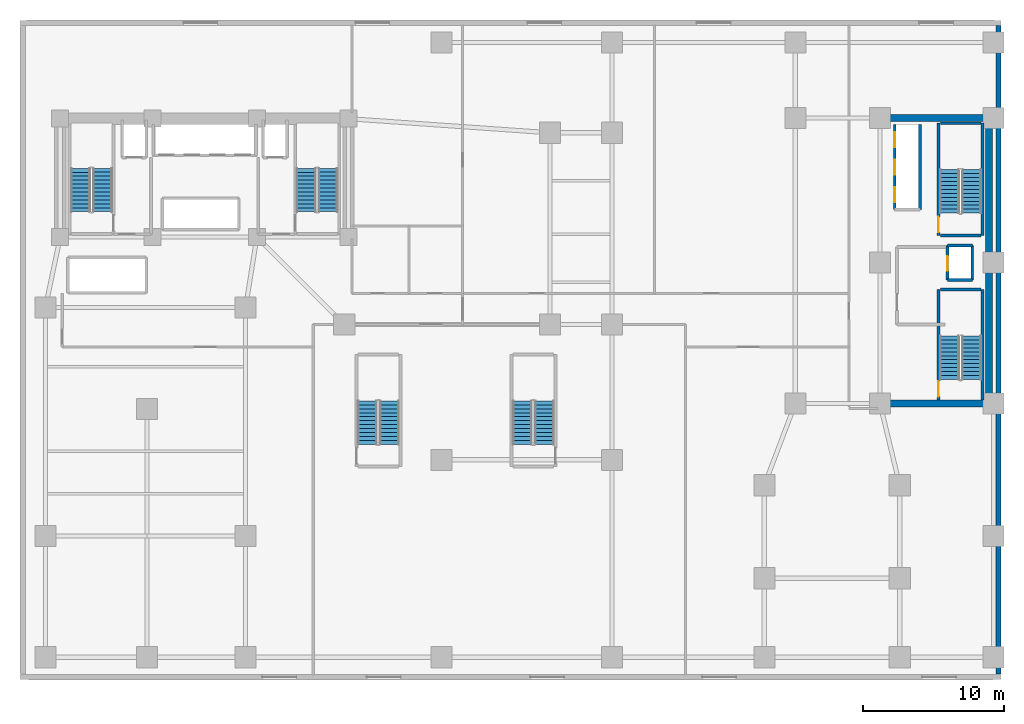
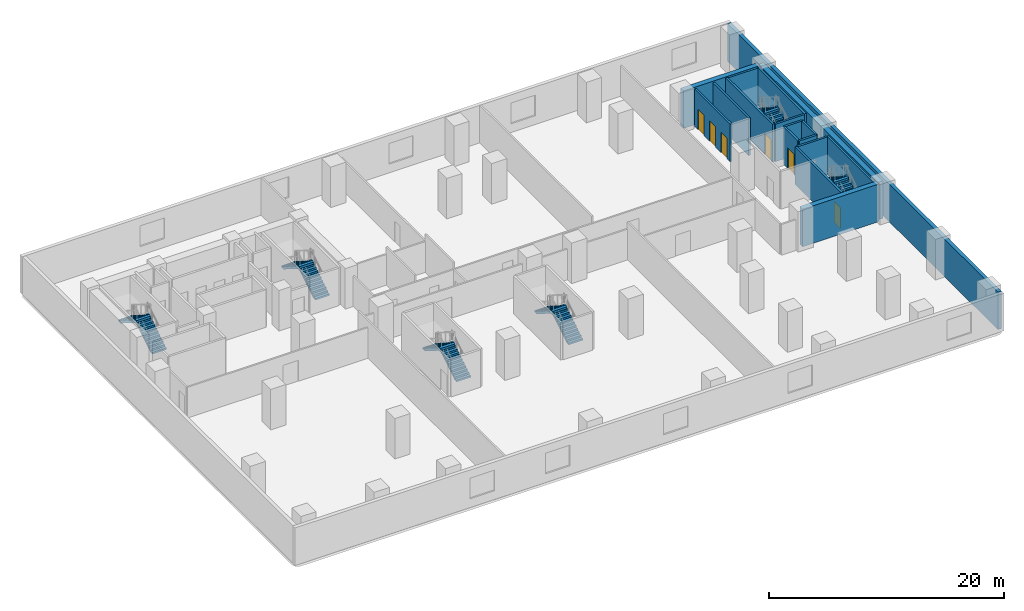
# One storey, part 5 of 8: 17 walls, 12 stair flights, 6 doors, 6 openings, 6 elements without a shape of their own.
"""IFC4 building model written with IfcOpenShell, lengths in metres."""

from ifc_helpers import new_model, si_unit, direction, frame, frame_2d, origin, place, context, subcontext, project, spatial, polyline, rectangle, outline, extrude, material, layer, layer_set, type_object, element, fill, aggregate, save


model = new_model("IFC4")

# Units and contexts
model_context = context("Model", 3, precision=1e-05, world=origin(), true_north=direction((0.0, 1.0)))
body_context = subcontext(model_context, "Body", "Model", "MODEL_VIEW")
ifc_project = project(units=[si_unit("LENGTHUNIT", "METRE"), si_unit("AREAUNIT", "SQUARE_METRE"), si_unit("VOLUMEUNIT", "CUBIC_METRE"), si_unit("PLANEANGLEUNIT", "RADIAN"), si_unit("MASSUNIT", "GRAM", prefix="KILO")], contexts=[model_context])

# Site, building, storey
site_placement = place(None, origin())
site = spatial("IfcSite", under=ifc_project, at=site_placement, CompositionType="ELEMENT")
building_placement = place(site_placement, origin())
building = spatial("IfcBuilding", under=site, at=building_placement, Name="Kuzgunbayir Cultural Tower", CompositionType="ELEMENT")
storey_placement = place(building_placement, frame((0.0, 0.0, 17.60009765625)))
storey = spatial("IfcBuildingStorey", under=building, at=storey_placement, Name="L04", CompositionType="ELEMENT", Elevation=17.60009765625)

# Wall
ifc_material_1 = material(Name="Anatolian Cream Limestone", Category="masonry")
ifc_layer_1 = layer(ifc_material_1, 0.35009765625)
ifc_layer_set_1 = layer_set([ifc_layer_1], Name="Anatolian Cream Limestone")
wall_type_1 = type_object("IfcWallType", Name="WAL-EXT-STONE-350", PredefinedType="STANDARD", material=ifc_layer_set_1)
wall_1_placement = place(storey_placement, frame((73.0, 2.800048828125, 0.0), z_axis=(0.0, 0.0, 1.0), x_axis=(0.0, 1.0, 0.0)))
element("IfcWall", 1, at=wall_1_placement, inside=storey, type_object=wall_type_1, Name="L04 Podium East Limestone Facade", PredefinedType="STANDARD", context=body_context, shape_type="SweptSolid", body=[
    extrude(rectangle(XDim=46.0, YDim=0.35009765625, at=frame_2d((23.0, 0.0))), origin(), (0.0, 0.0, 1.0), 3.89990234375),
])

# Wall, openings, doors
ifc_material_2 = material(Name="Concrete C40/50", Category="concrete")
ifc_layer_2 = layer(ifc_material_2, 0.199951171875)
ifc_layer_set_2 = layer_set([ifc_layer_2], Name="Concrete C40/50")
wall_type_2 = type_object("IfcWallType", Name="WAL-SHAFT-200", PredefinedType="MOVABLE", material=ifc_layer_set_2)
wall_2_placement = place(storey_placement, frame((65.64990234375, 35.75, 0.0), z_axis=(0.0, 0.0, 1.0), x_axis=(0.0, 1.0, 0.0)))
wall_2 = element("IfcWall", 2, at=wall_2_placement, inside=storey, type_object=wall_type_2, Name="L04 Companion Lift Front Wall", PredefinedType="MOVABLE", context=body_context, shape_type="SweptSolid", body=[
    extrude(rectangle(XDim=6.050048828125, YDim=0.199951171875, at=frame_2d((3.02490234375, 0.0))), origin(), (0.0, 0.0, 1.0), 3.89990234375),
])
opening_1_placement = place(wall_2_placement, frame((0.52001953125, 0.0, 0.0)))
opening_1 = element("IfcOpeningElement", 3, at=opening_1_placement, cuts=wall_2, Name="Opening LD", PredefinedType="OPENING", context=body_context, shape_type="SweptSolid", body=[
    extrude(rectangle(XDim=1.050048828125, YDim=2.14990234375, at=frame_2d((0.52490234375, 1.074951171875))), frame((0.0, 0.10986328125, 0.0), z_axis=(0.0, -1.0, 0.0), x_axis=(1.0, 0.0, 0.0)), (0.0, 0.0, 1.0), 0.219970703125),
])
opening_2_placement = place(wall_2_placement, frame((2.47998046875, 0.0, 0.0)))
opening_2 = element("IfcOpeningElement", 4, at=opening_2_placement, cuts=wall_2, Name="Opening LD", PredefinedType="OPENING", context=body_context, shape_type="SweptSolid", body=[
    extrude(rectangle(XDim=1.050048828125, YDim=2.14990234375, at=frame_2d((0.52490234375, 1.074951171875))), frame((0.0, 0.10986328125, 0.0), z_axis=(0.0, -1.0, 0.0), x_axis=(1.0, 0.0, 0.0)), (0.0, 0.0, 1.0), 0.219970703125),
])
opening_3_placement = place(wall_2_placement, frame((4.429931640625, 0.0, 0.0)))
opening_3 = element("IfcOpeningElement", 5, at=opening_3_placement, cuts=wall_2, Name="Opening LD", PredefinedType="OPENING", context=body_context, shape_type="SweptSolid", body=[
    extrude(rectangle(XDim=1.050048828125, YDim=2.14990234375, at=frame_2d((0.52490234375, 1.074951171875))), frame((0.0, 0.10986328125, 0.0), z_axis=(0.0, -1.0, 0.0), x_axis=(1.0, 0.0, 0.0)), (0.0, 0.0, 1.0), 0.219970703125),
])
ifc_material_3 = material(Name="Brushed Stainless Steel", Category="steel")
door_type_1 = type_object("IfcDoorType", Name="DR-LIFT-LANDING", OperationType="SLIDING_TO_LEFT", PredefinedType="DOOR", material=ifc_material_3)
door_1_placement = place(opening_1_placement, origin())
door_1 = element("IfcDoor", 6, at=door_1_placement, inside=storey, type_object=door_type_1, Name="L04 Lift PC-1 Landing Door", OperationType="SLIDING_TO_LEFT", OverallHeight=2.14990234375, OverallWidth=1.050048828125, PredefinedType="DOOR", context=body_context, shape_type="SweptSolid", body=[
    extrude(rectangle(XDim=1.050048828125, YDim=2.14990234375, at=frame_2d((0.52490234375, 1.074951171875))), frame((0.0, 0.02490234375, 0.0), z_axis=(0.0, -1.0, 0.0), x_axis=(1.0, 0.0, 0.0)), (0.0, 0.0, 1.0), 0.050048828125),
])
fill(opening_1, door_1)
door_2_placement = place(opening_2_placement, origin())
door_2 = element("IfcDoor", 7, at=door_2_placement, inside=storey, type_object=door_type_1, Name="L04 Lift PC-2 Landing Door", OperationType="SLIDING_TO_LEFT", OverallHeight=2.14990234375, OverallWidth=1.050048828125, PredefinedType="DOOR", context=body_context, shape_type="SweptSolid", body=[
    extrude(rectangle(XDim=1.050048828125, YDim=2.14990234375, at=frame_2d((0.52490234375, 1.074951171875))), frame((0.0, 0.02490234375, 0.0), z_axis=(0.0, -1.0, 0.0), x_axis=(1.0, 0.0, 0.0)), (0.0, 0.0, 1.0), 0.050048828125),
])
fill(opening_2, door_2)
door_3_placement = place(opening_3_placement, origin())
door_3 = element("IfcDoor", 8, at=door_3_placement, inside=storey, type_object=door_type_1, Name="L04 Lift PC-3 Landing Door", OperationType="SLIDING_TO_LEFT", OverallHeight=2.14990234375, OverallWidth=1.050048828125, PredefinedType="DOOR", context=body_context, shape_type="SweptSolid", body=[
    extrude(rectangle(XDim=1.050048828125, YDim=2.14990234375, at=frame_2d((0.52490234375, 1.074951171875))), frame((0.0, 0.02490234375, 0.0), z_axis=(0.0, -1.0, 0.0), x_axis=(1.0, 0.0, 0.0)), (0.0, 0.0, 1.0), 0.050048828125),
])
fill(opening_3, door_3)

# Wall
wall_3_placement = place(storey_placement, frame((67.449951171875, 35.75, 0.0), z_axis=(0.0, 0.0, 1.0), x_axis=(0.0, 1.0, 0.0)))
element("IfcWall", 9, at=wall_3_placement, inside=storey, type_object=wall_type_2, Name="L04 Companion Lift Shaft Back Wall", PredefinedType="MOVABLE", context=body_context, shape_type="SweptSolid", body=[
    extrude(rectangle(XDim=6.050048828125, YDim=0.199951171875, at=frame_2d((3.02490234375, 0.0))), origin(), (0.0, 0.0, 1.0), 3.89990234375),
])

# Wall, opening, door
wall_4_placement = place(storey_placement, frame((69.39990234375, 30.75, 0.0), z_axis=(0.0, 0.0, 1.0), x_axis=(0.0, 1.0, 0.0)))
wall_4 = element("IfcWall", 10, at=wall_4_placement, inside=storey, type_object=wall_type_2, Name="L04 FFL-3 Lift Front Wall", PredefinedType="MOVABLE", context=body_context, shape_type="SweptSolid", body=[
    extrude(rectangle(XDim=2.449951171875, YDim=0.199951171875, at=frame_2d((1.22509765625, 0.0))), origin(), (0.0, 0.0, 1.0), 3.89990234375),
])
opening_4_placement = place(wall_4_placement, frame((0.64990234375, 0.0, 0.0)))
opening_4 = element("IfcOpeningElement", 11, at=opening_4_placement, cuts=wall_4, Name="Opening LD", PredefinedType="OPENING", context=body_context, shape_type="SweptSolid", body=[
    extrude(rectangle(XDim=1.050048828125, YDim=2.14990234375, at=frame_2d((0.52490234375, 1.074951171875))), frame((0.0, 0.10986328125, 0.0), z_axis=(0.0, -1.0, 0.0), x_axis=(1.0, 0.0, 0.0)), (0.0, 0.0, 1.0), 0.219970703125),
])
door_4_placement = place(opening_4_placement, origin())
door_4 = element("IfcDoor", 12, at=door_4_placement, inside=storey, type_object=door_type_1, Name="L04 Lift FFL-3 Landing Door", OperationType="SLIDING_TO_LEFT", OverallHeight=2.14990234375, OverallWidth=1.050048828125, PredefinedType="DOOR", context=body_context, shape_type="SweptSolid", body=[
    extrude(rectangle(XDim=1.050048828125, YDim=2.14990234375, at=frame_2d((0.52490234375, 1.074951171875))), frame((0.0, 0.02490234375, 0.0), z_axis=(0.0, -1.0, 0.0), x_axis=(1.0, 0.0, 0.0)), (0.0, 0.0, 1.0), 0.050048828125),
])
fill(opening_4, door_4)

# Walls
wall_5_placement = place(storey_placement, frame((71.14990234375, 30.75, 0.0), z_axis=(0.0, 0.0, 1.0), x_axis=(0.0, 1.0, 0.0)))
element("IfcWall", 13, at=wall_5_placement, inside=storey, type_object=wall_type_2, Name="L04 FFL-3 Shaft Back Wall", PredefinedType="MOVABLE", context=body_context, shape_type="SweptSolid", body=[
    extrude(rectangle(XDim=2.449951171875, YDim=0.199951171875, at=frame_2d((1.22509765625, 0.0))), origin(), (0.0, 0.0, 1.0), 3.89990234375),
])
for number, where, z_axis, x_axis, name in (
    (14, (69.39990234375, 33.199951171875, 0.0), (0.0, 0.0, 1.0), (1.0, 0.0, 0.0), "L04 FFL-3 Shaft North Wall"),
    (15, (69.39990234375, 30.75, 0.0), (0.0, 0.0, 1.0), (1.0, 0.0, 0.0), "L04 FFL-3 Shaft South Wall"),
):
    element("IfcWall", number, at=place(storey_placement, frame(where, z_axis=z_axis, x_axis=x_axis)), inside=storey, type_object=wall_type_2, Name=name, PredefinedType="MOVABLE", context=body_context, shape_type="SweptSolid", body=[
        extrude(rectangle(XDim=1.75, YDim=0.199951171875, at=frame_2d((0.875, 0.0))), origin(), (0.0, 0.0, 1.0), 3.89990234375),
    ])

# Wall, opening, door
ifc_layer_3 = layer(ifc_material_2, 0.199951171875)
ifc_layer_set_3 = layer_set([ifc_layer_3], Name="Concrete C40/50")
wall_type_3 = type_object("IfcWallType", Name="WAL-STAIR-RC-200", PredefinedType="SHEAR", material=ifc_layer_set_3)
wall_6_placement = place(storey_placement, frame((68.760009765625, 22.260009765625, 0.0), z_axis=(0.0, 0.0, 1.0), x_axis=(0.0, 1.0, 0.0)))
wall_6 = element("IfcWall", 16, at=wall_6_placement, inside=storey, type_object=wall_type_3, Name="L04 Stair ST-3 West Structural Wall", PredefinedType="SHEAR", context=body_context, shape_type="SweptSolid", body=[
    extrude(rectangle(XDim=7.820068359375, YDim=0.199951171875, at=frame_2d((3.91015625, 0.0))), origin(), (0.0, 0.0, 1.0), 3.89990234375),
])
opening_5_placement = place(wall_6_placement, frame((0.219970703125, 0.0, 0.0)))
opening_5 = element("IfcOpeningElement", 17, at=opening_5_placement, cuts=wall_6, Name="Opening DR-STAIR-90", PredefinedType="OPENING", context=body_context, shape_type="SweptSolid", body=[
    extrude(rectangle(XDim=1.10009765625, YDim=2.14990234375, at=frame_2d((0.550048828125, 1.074951171875))), frame((0.0, 0.10986328125, 0.0), z_axis=(0.0, -1.0, 0.0), x_axis=(1.0, 0.0, 0.0)), (0.0, 0.0, 1.0), 0.219970703125),
])
ifc_material_4 = material(Name="Steel S355J2", Category="steel")
door_type_2 = type_object("IfcDoorType", Name="DR-STAIR-90", OperationType="NOTDEFINED", PredefinedType="DOOR", material=ifc_material_4)
door_5_placement = place(opening_5_placement, origin())
door_5 = element("IfcDoor", 18, at=door_5_placement, inside=storey, type_object=door_type_2, Name="L04 Stair ST-3 Fire Door", OperationType="SINGLE_SWING_RIGHT", OverallHeight=2.14990234375, OverallWidth=1.10009765625, PredefinedType="DOOR", context=body_context, shape_type="SweptSolid", body=[
    extrude(rectangle(XDim=1.10009765625, YDim=2.14990234375, at=frame_2d((0.550048828125, 1.074951171875))), frame((0.0, 0.02490234375, 0.0), z_axis=(0.0, -1.0, 0.0), x_axis=(1.0, 0.0, 0.0)), (0.0, 0.0, 1.0), 0.050048828125),
])
fill(opening_5, door_5)

# Walls
wall_7_placement = place(storey_placement, frame((71.8798828125, 22.260009765625, 0.0), z_axis=(0.0, 0.0, 1.0), x_axis=(0.0, 1.0, 0.0)))
element("IfcWall", 19, at=wall_7_placement, inside=storey, type_object=wall_type_3, Name="L04 Stair ST-3 East Structural Wall", PredefinedType="SHEAR", context=body_context, shape_type="SweptSolid", body=[
    extrude(rectangle(XDim=7.820068359375, YDim=0.199951171875, at=frame_2d((3.91015625, 0.0))), origin(), (0.0, 0.0, 1.0), 3.89990234375),
])
wall_8_placement = place(storey_placement, frame((68.8798828125, 30.080078125, 0.0), z_axis=(0.0, 0.0, 1.0), x_axis=(1.0, 0.0, 0.0)))
element("IfcWall", 20, at=wall_8_placement, inside=storey, type_object=wall_type_3, Name="L04 Stair ST-3 North Structural Wall", PredefinedType="SHEAR", context=body_context, shape_type="SweptSolid", body=[
    extrude(rectangle(XDim=2.880126953125, YDim=0.199951171875, at=frame_2d((1.43994140625, 0.0))), origin(), (0.0, 0.0, 1.0), 3.89990234375),
])

# Wall, opening, door
wall_9_placement = place(storey_placement, frame((68.760009765625, 33.919921875, 0.0), z_axis=(0.0, 0.0, 1.0), x_axis=(0.0, 1.0, 0.0)))
wall_9 = element("IfcWall", 21, at=wall_9_placement, inside=storey, type_object=wall_type_3, Name="L04 Stair ST-4 West Structural Wall", PredefinedType="SHEAR", context=body_context, shape_type="SweptSolid", body=[
    extrude(rectangle(XDim=7.9599609375, YDim=0.199951171875, at=frame_2d((3.97998046875, 0.0))), origin(), (0.0, 0.0, 1.0), 3.89990234375),
])
opening_6_placement = place(wall_9_placement, frame((0.219970703125, 0.0, 0.0)))
opening_6 = element("IfcOpeningElement", 22, at=opening_6_placement, cuts=wall_9, Name="Opening DR-STAIR-90", PredefinedType="OPENING", context=body_context, shape_type="SweptSolid", body=[
    extrude(rectangle(XDim=1.10009765625, YDim=2.14990234375, at=frame_2d((0.550048828125, 1.074951171875))), frame((0.0, 0.10986328125, 0.0), z_axis=(0.0, -1.0, 0.0), x_axis=(1.0, 0.0, 0.0)), (0.0, 0.0, 1.0), 0.219970703125),
])
door_6_placement = place(opening_6_placement, origin())
door_6 = element("IfcDoor", 23, at=door_6_placement, inside=storey, type_object=door_type_2, Name="L04 Stair ST-4 Fire Door", OperationType="SINGLE_SWING_LEFT", OverallHeight=2.14990234375, OverallWidth=1.10009765625, PredefinedType="DOOR", context=body_context, shape_type="SweptSolid", body=[
    extrude(rectangle(XDim=1.10009765625, YDim=2.14990234375, at=frame_2d((0.550048828125, 1.074951171875))), frame((0.0, 0.02490234375, 0.0), z_axis=(0.0, -1.0, 0.0), x_axis=(1.0, 0.0, 0.0)), (0.0, 0.0, 1.0), 0.050048828125),
])
fill(opening_6, door_6)

# Walls
wall_10_placement = place(storey_placement, frame((71.8798828125, 33.919921875, 0.0), z_axis=(0.0, 0.0, 1.0), x_axis=(0.0, 1.0, 0.0)))
element("IfcWall", 24, at=wall_10_placement, inside=storey, type_object=wall_type_3, Name="L04 Stair ST-4 East Structural Wall", PredefinedType="SHEAR", context=body_context, shape_type="SweptSolid", body=[
    extrude(rectangle(XDim=7.9599609375, YDim=0.199951171875, at=frame_2d((3.97998046875, 0.0))), origin(), (0.0, 0.0, 1.0), 3.89990234375),
])
for number, where, z_axis, x_axis, name in (
    (25, (68.8798828125, 41.8798828125, 0.0), (0.0, 0.0, 1.0), (1.0, 0.0, 0.0), "L04 Stair ST-4 North Structural Wall"),
    (26, (68.8798828125, 33.919921875, 0.0), (0.0, 0.0, 1.0), (1.0, 0.0, 0.0), "L04 Stair ST-4 South Structural Wall"),
):
    element("IfcWall", number, at=place(storey_placement, frame(where, z_axis=z_axis, x_axis=x_axis)), inside=storey, type_object=wall_type_3, Name=name, PredefinedType="SHEAR", context=body_context, shape_type="SweptSolid", body=[
        extrude(rectangle(XDim=2.880126953125, YDim=0.199951171875, at=frame_2d((1.43994140625, 0.0))), origin(), (0.0, 0.0, 1.0), 3.89990234375),
    ])
ifc_material_5 = material(Name="Concrete C60/75", Category="concrete")
ifc_layer_4 = layer(ifc_material_5, 0.5)
ifc_layer_set_4 = layer_set([ifc_layer_4], Name="Concrete C60/75")
wall_type_4 = type_object("IfcWallType", Name="WAL-T2-CORE-500", PredefinedType="SHEAR", material=ifc_layer_set_4)
wall_11_placement = place(storey_placement, frame((72.35009765625, 22.0, 0.0), z_axis=(0.0, 0.0, 1.0), x_axis=(0.0, 1.0, 0.0)))
element("IfcWall", 27, at=wall_11_placement, inside=storey, type_object=wall_type_4, Name="L04 Companion Core East Shear Wall", PredefinedType="SHEAR", context=body_context, shape_type="SweptSolid", body=[
    extrude(rectangle(XDim=20.25, YDim=0.5, at=frame_2d((10.125, 0.0))), origin(), (0.0, 0.0, 1.0), 3.89990234375),
])
for number, where, z_axis, x_axis, name in (
    (28, (64.60009765625, 42.25, 0.0), (0.0, 0.0, 1.0), (1.0, 0.0, 0.0), "L04 Companion Core North Shear Wall"),
    (29, (64.60009765625, 22.0, 0.0), (0.0, 0.0, 1.0), (1.0, 0.0, 0.0), "L04 Companion Core South Shear Wall"),
):
    element("IfcWall", number, at=place(storey_placement, frame(where, z_axis=z_axis, x_axis=x_axis)), inside=storey, type_object=wall_type_4, Name=name, PredefinedType="SHEAR", context=body_context, shape_type="SweptSolid", body=[
        extrude(rectangle(XDim=7.5, YDim=0.5, at=frame_2d((3.75, 0.0))), origin(), (0.0, 0.0, 1.0), 3.89990234375),
    ])

# Stair, stair flights
stair_type_1 = type_object("IfcStairType", Name="STR-EXIT-CORE", PredefinedType="HALF_TURN_STAIR", material=ifc_material_2)
stair_1_placement = place(storey_placement, origin())
stair_1 = element("IfcStair", 30, at=stair_1_placement, inside=storey, type_object=stair_type_1, Name="L04 ST-1", PredefinedType="HALF_TURN_STAIR")
stair_flight_type = type_object("IfcStairFlightType", Name="STRF-RC-140", PredefinedType="STRAIGHT", material=ifc_material_2)
stair_flight_1_placement = place(storey_placement, frame((9.4599609375, 35.60009765625, 0.0), z_axis=(0.0, 0.0, 1.0), x_axis=(0.0, 1.0, 0.0)))
stair_flight_1 = element("IfcStairFlight", 31, at=stair_flight_1_placement, type_object=stair_flight_type, Name="ST-1 flight 1", NumberOfRisers=12, NumberOfTreads=11, PredefinedType="STRAIGHT", RiserHeight=0.175, TreadLength=0.28, context=body_context, shape_type="SweptSolid", body=[
    extrude(outline(polyline([(0.0, 0.0), (0.0, 0.175048828125), (0.280029296875, 0.175048828125), (0.280029296875, 0.35009765625), (0.56005859375, 0.35009765625), (0.56005859375, 0.52490234375), (0.840087890625, 0.52490234375), (0.840087890625, 0.699951171875), (1.1201171875, 0.699951171875), (1.1201171875, 0.875), (1.39990234375, 0.875), (1.39990234375, 1.050048828125), (1.679931640625, 1.050048828125), (1.679931640625, 1.22509765625), (1.9599609375, 1.22509765625), (1.9599609375, 1.39990234375), (2.239990234375, 1.39990234375), (2.239990234375, 1.574951171875), (2.52001953125, 1.574951171875), (2.52001953125, 1.75), (2.800048828125, 1.75), (2.800048828125, 1.925048828125), (3.080078125, 1.925048828125), (3.080078125, 2.10009765625), (3.080078125, 1.712890625), (0.339599609375, 0.0), (0.0, 0.0)])), frame((0.0, 0.699951171875, 0.0), z_axis=(0.0, -1.0, 0.0), x_axis=(1.0, 0.0, 0.0)), (0.0, 0.0, 1.0), 1.39990234375),
])
stair_flight_2_placement = place(storey_placement, frame((7.89990234375, 38.679931640625, 2.099853515625), z_axis=(0.0, 0.0, 1.0), x_axis=(0.0, -1.0, 0.0)))
stair_flight_2 = element("IfcStairFlight", 32, at=stair_flight_2_placement, type_object=stair_flight_type, Name="ST-1 flight 2", NumberOfRisers=12, NumberOfTreads=11, PredefinedType="STRAIGHT", RiserHeight=0.175, TreadLength=0.28, context=body_context, shape_type="SweptSolid", body=[
    extrude(outline(polyline([(0.0, 0.0), (0.0, 0.175048828125), (0.280029296875, 0.175048828125), (0.280029296875, 0.35009765625), (0.56005859375, 0.35009765625), (0.56005859375, 0.52490234375), (0.840087890625, 0.52490234375), (0.840087890625, 0.699951171875), (1.1201171875, 0.699951171875), (1.1201171875, 0.875), (1.39990234375, 0.875), (1.39990234375, 1.050048828125), (1.679931640625, 1.050048828125), (1.679931640625, 1.22509765625), (1.9599609375, 1.22509765625), (1.9599609375, 1.39990234375), (2.239990234375, 1.39990234375), (2.239990234375, 1.574951171875), (2.52001953125, 1.574951171875), (2.52001953125, 1.75), (2.800048828125, 1.75), (2.800048828125, 1.925048828125), (3.080078125, 1.925048828125), (3.080078125, 2.10009765625), (3.080078125, 1.712890625), (0.339599609375, 0.0), (0.0, 0.0)])), frame((0.0, 0.699951171875, 0.0), z_axis=(0.0, -1.0, 0.0), x_axis=(1.0, 0.0, 0.0)), (0.0, 0.0, 1.0), 1.39990234375),
])
aggregate(stair_1, [stair_flight_1, stair_flight_2])

stair_2_placement = place(storey_placement, origin())
stair_2 = element("IfcStair", 33, at=stair_2_placement, inside=storey, type_object=stair_type_1, Name="L04 ST-2", PredefinedType="HALF_TURN_STAIR")
stair_flight_3_placement = place(storey_placement, frame((25.4599609375, 35.60009765625, 0.0), z_axis=(0.0, 0.0, 1.0), x_axis=(0.0, 1.0, 0.0)))
stair_flight_3 = element("IfcStairFlight", 34, at=stair_flight_3_placement, type_object=stair_flight_type, Name="ST-2 flight 1", NumberOfRisers=12, NumberOfTreads=11, PredefinedType="STRAIGHT", RiserHeight=0.175, TreadLength=0.28, context=body_context, shape_type="SweptSolid", body=[
    extrude(outline(polyline([(0.0, 0.0), (0.0, 0.175048828125), (0.280029296875, 0.175048828125), (0.280029296875, 0.35009765625), (0.56005859375, 0.35009765625), (0.56005859375, 0.52490234375), (0.840087890625, 0.52490234375), (0.840087890625, 0.699951171875), (1.1201171875, 0.699951171875), (1.1201171875, 0.875), (1.39990234375, 0.875), (1.39990234375, 1.050048828125), (1.679931640625, 1.050048828125), (1.679931640625, 1.22509765625), (1.9599609375, 1.22509765625), (1.9599609375, 1.39990234375), (2.239990234375, 1.39990234375), (2.239990234375, 1.574951171875), (2.52001953125, 1.574951171875), (2.52001953125, 1.75), (2.800048828125, 1.75), (2.800048828125, 1.925048828125), (3.080078125, 1.925048828125), (3.080078125, 2.10009765625), (3.080078125, 1.712890625), (0.339599609375, 0.0), (0.0, 0.0)])), frame((0.0, 0.699951171875, 0.0), z_axis=(0.0, -1.0, 0.0), x_axis=(1.0, 0.0, 0.0)), (0.0, 0.0, 1.0), 1.39990234375),
])
stair_flight_4_placement = place(storey_placement, frame((23.89990234375, 38.679931640625, 2.099853515625), z_axis=(0.0, 0.0, 1.0), x_axis=(0.0, -1.0, 0.0)))
stair_flight_4 = element("IfcStairFlight", 35, at=stair_flight_4_placement, type_object=stair_flight_type, Name="ST-2 flight 2", NumberOfRisers=12, NumberOfTreads=11, PredefinedType="STRAIGHT", RiserHeight=0.175, TreadLength=0.28, context=body_context, shape_type="SweptSolid", body=[
    extrude(outline(polyline([(0.0, 0.0), (0.0, 0.175048828125), (0.280029296875, 0.175048828125), (0.280029296875, 0.35009765625), (0.56005859375, 0.35009765625), (0.56005859375, 0.52490234375), (0.840087890625, 0.52490234375), (0.840087890625, 0.699951171875), (1.1201171875, 0.699951171875), (1.1201171875, 0.875), (1.39990234375, 0.875), (1.39990234375, 1.050048828125), (1.679931640625, 1.050048828125), (1.679931640625, 1.22509765625), (1.9599609375, 1.22509765625), (1.9599609375, 1.39990234375), (2.239990234375, 1.39990234375), (2.239990234375, 1.574951171875), (2.52001953125, 1.574951171875), (2.52001953125, 1.75), (2.800048828125, 1.75), (2.800048828125, 1.925048828125), (3.080078125, 1.925048828125), (3.080078125, 2.10009765625), (3.080078125, 1.712890625), (0.339599609375, 0.0), (0.0, 0.0)])), frame((0.0, 0.699951171875, 0.0), z_axis=(0.0, -1.0, 0.0), x_axis=(1.0, 0.0, 0.0)), (0.0, 0.0, 1.0), 1.39990234375),
])
aggregate(stair_2, [stair_flight_3, stair_flight_4])

stair_3_placement = place(storey_placement, origin())
stair_3 = element("IfcStair", 36, at=stair_3_placement, inside=storey, type_object=stair_type_1, Name="L04 ST-3", PredefinedType="HALF_TURN_STAIR")
stair_flight_5_placement = place(storey_placement, frame((71.10009765625, 23.699951171875, 0.0), z_axis=(0.0, 0.0, 1.0), x_axis=(0.0, 1.0, 0.0)))
stair_flight_5 = element("IfcStairFlight", 37, at=stair_flight_5_placement, type_object=stair_flight_type, Name="ST-3 flight 1", NumberOfRisers=12, NumberOfTreads=11, PredefinedType="STRAIGHT", RiserHeight=0.175, TreadLength=0.28, context=body_context, shape_type="SweptSolid", body=[
    extrude(outline(polyline([(0.0, 0.0), (0.0, 0.175048828125), (0.280029296875, 0.175048828125), (0.280029296875, 0.35009765625), (0.56005859375, 0.35009765625), (0.56005859375, 0.52490234375), (0.840087890625, 0.52490234375), (0.840087890625, 0.699951171875), (1.1201171875, 0.699951171875), (1.1201171875, 0.875), (1.39990234375, 0.875), (1.39990234375, 1.050048828125), (1.679931640625, 1.050048828125), (1.679931640625, 1.22509765625), (1.9599609375, 1.22509765625), (1.9599609375, 1.39990234375), (2.239990234375, 1.39990234375), (2.239990234375, 1.574951171875), (2.52001953125, 1.574951171875), (2.52001953125, 1.75), (2.800048828125, 1.75), (2.800048828125, 1.925048828125), (3.080078125, 1.925048828125), (3.080078125, 2.10009765625), (3.080078125, 1.712890625), (0.339599609375, 0.0), (0.0, 0.0)])), frame((0.0, 0.699951171875, 0.0), z_axis=(0.0, -1.0, 0.0), x_axis=(1.0, 0.0, 0.0)), (0.0, 0.0, 1.0), 1.39990234375),
])
stair_flight_6_placement = place(storey_placement, frame((69.5400390625, 26.780029296875, 2.099853515625), z_axis=(0.0, 0.0, 1.0), x_axis=(0.0, -1.0, 0.0)))
stair_flight_6 = element("IfcStairFlight", 38, at=stair_flight_6_placement, type_object=stair_flight_type, Name="ST-3 flight 2", NumberOfRisers=12, NumberOfTreads=11, PredefinedType="STRAIGHT", RiserHeight=0.175, TreadLength=0.28, context=body_context, shape_type="SweptSolid", body=[
    extrude(outline(polyline([(0.0, 0.0), (0.0, 0.175048828125), (0.280029296875, 0.175048828125), (0.280029296875, 0.35009765625), (0.56005859375, 0.35009765625), (0.56005859375, 0.52490234375), (0.840087890625, 0.52490234375), (0.840087890625, 0.699951171875), (1.1201171875, 0.699951171875), (1.1201171875, 0.875), (1.39990234375, 0.875), (1.39990234375, 1.050048828125), (1.679931640625, 1.050048828125), (1.679931640625, 1.22509765625), (1.9599609375, 1.22509765625), (1.9599609375, 1.39990234375), (2.239990234375, 1.39990234375), (2.239990234375, 1.574951171875), (2.52001953125, 1.574951171875), (2.52001953125, 1.75), (2.800048828125, 1.75), (2.800048828125, 1.925048828125), (3.080078125, 1.925048828125), (3.080078125, 2.10009765625), (3.080078125, 1.712890625), (0.339599609375, 0.0), (0.0, 0.0)])), frame((0.0, 0.699951171875, 0.0), z_axis=(0.0, -1.0, 0.0), x_axis=(1.0, 0.0, 0.0)), (0.0, 0.0, 1.0), 1.39990234375),
])
aggregate(stair_3, [stair_flight_5, stair_flight_6])

stair_4_placement = place(storey_placement, origin())
stair_4 = element("IfcStair", 39, at=stair_4_placement, inside=storey, type_object=stair_type_1, Name="L04 ST-4", PredefinedType="HALF_TURN_STAIR")
stair_flight_7_placement = place(storey_placement, frame((71.10009765625, 35.5, 0.0), z_axis=(0.0, 0.0, 1.0), x_axis=(0.0, 1.0, 0.0)))
stair_flight_7 = element("IfcStairFlight", 40, at=stair_flight_7_placement, type_object=stair_flight_type, Name="ST-4 flight 1", NumberOfRisers=12, NumberOfTreads=11, PredefinedType="STRAIGHT", RiserHeight=0.175, TreadLength=0.28, context=body_context, shape_type="SweptSolid", body=[
    extrude(outline(polyline([(0.0, 0.0), (0.0, 0.175048828125), (0.280029296875, 0.175048828125), (0.280029296875, 0.35009765625), (0.56005859375, 0.35009765625), (0.56005859375, 0.52490234375), (0.840087890625, 0.52490234375), (0.840087890625, 0.699951171875), (1.1201171875, 0.699951171875), (1.1201171875, 0.875), (1.39990234375, 0.875), (1.39990234375, 1.050048828125), (1.679931640625, 1.050048828125), (1.679931640625, 1.22509765625), (1.9599609375, 1.22509765625), (1.9599609375, 1.39990234375), (2.239990234375, 1.39990234375), (2.239990234375, 1.574951171875), (2.52001953125, 1.574951171875), (2.52001953125, 1.75), (2.800048828125, 1.75), (2.800048828125, 1.925048828125), (3.080078125, 1.925048828125), (3.080078125, 2.10009765625), (3.080078125, 1.712890625), (0.339599609375, 0.0), (0.0, 0.0)])), frame((0.0, 0.699951171875, 0.0), z_axis=(0.0, -1.0, 0.0), x_axis=(1.0, 0.0, 0.0)), (0.0, 0.0, 1.0), 1.39990234375),
])
stair_flight_8_placement = place(storey_placement, frame((69.5400390625, 38.580078125, 2.099853515625), z_axis=(0.0, 0.0, 1.0), x_axis=(0.0, -1.0, 0.0)))
stair_flight_8 = element("IfcStairFlight", 41, at=stair_flight_8_placement, type_object=stair_flight_type, Name="ST-4 flight 2", NumberOfRisers=12, NumberOfTreads=11, PredefinedType="STRAIGHT", RiserHeight=0.175, TreadLength=0.28, context=body_context, shape_type="SweptSolid", body=[
    extrude(outline(polyline([(0.0, 0.0), (0.0, 0.175048828125), (0.280029296875, 0.175048828125), (0.280029296875, 0.35009765625), (0.56005859375, 0.35009765625), (0.56005859375, 0.52490234375), (0.840087890625, 0.52490234375), (0.840087890625, 0.699951171875), (1.1201171875, 0.699951171875), (1.1201171875, 0.875), (1.39990234375, 0.875), (1.39990234375, 1.050048828125), (1.679931640625, 1.050048828125), (1.679931640625, 1.22509765625), (1.9599609375, 1.22509765625), (1.9599609375, 1.39990234375), (2.239990234375, 1.39990234375), (2.239990234375, 1.574951171875), (2.52001953125, 1.574951171875), (2.52001953125, 1.75), (2.800048828125, 1.75), (2.800048828125, 1.925048828125), (3.080078125, 1.925048828125), (3.080078125, 2.10009765625), (3.080078125, 1.712890625), (0.339599609375, 0.0), (0.0, 0.0)])), frame((0.0, 0.699951171875, 0.0), z_axis=(0.0, -1.0, 0.0), x_axis=(1.0, 0.0, 0.0)), (0.0, 0.0, 1.0), 1.39990234375),
])
aggregate(stair_4, [stair_flight_7, stair_flight_8])

stair_type_2 = type_object("IfcStairType", Name="STR-PODIUM-ESC", PredefinedType="HALF_TURN_STAIR", material=ifc_material_2)
stair_5_placement = place(storey_placement, origin())
stair_5 = element("IfcStair", 42, at=stair_5_placement, inside=storey, type_object=stair_type_2, Name="L04 ST-5", PredefinedType="HALF_TURN_STAIR")
stair_flight_9_placement = place(storey_placement, frame((29.800048828125, 19.10009765625, 0.0), z_axis=(0.0, 0.0, 1.0), x_axis=(0.0, 1.0, 0.0)))
stair_flight_9 = element("IfcStairFlight", 43, at=stair_flight_9_placement, type_object=stair_flight_type, Name="ST-5 flight 1", NumberOfRisers=12, NumberOfTreads=11, PredefinedType="STRAIGHT", RiserHeight=0.175, TreadLength=0.28, context=body_context, shape_type="SweptSolid", body=[
    extrude(outline(polyline([(0.0, 0.0), (0.0, 0.175048828125), (0.280029296875, 0.175048828125), (0.280029296875, 0.35009765625), (0.56005859375, 0.35009765625), (0.56005859375, 0.52490234375), (0.840087890625, 0.52490234375), (0.840087890625, 0.699951171875), (1.1201171875, 0.699951171875), (1.1201171875, 0.875), (1.39990234375, 0.875), (1.39990234375, 1.050048828125), (1.679931640625, 1.050048828125), (1.679931640625, 1.22509765625), (1.9599609375, 1.22509765625), (1.9599609375, 1.39990234375), (2.239990234375, 1.39990234375), (2.239990234375, 1.574951171875), (2.52001953125, 1.574951171875), (2.52001953125, 1.75), (2.800048828125, 1.75), (2.800048828125, 1.925048828125), (3.080078125, 1.925048828125), (3.080078125, 2.10009765625), (3.080078125, 1.712890625), (0.339599609375, 0.0), (0.0, 0.0)])), frame((0.0, 0.699951171875, 0.0), z_axis=(0.0, -1.0, 0.0), x_axis=(1.0, 0.0, 0.0)), (0.0, 0.0, 1.0), 1.39990234375),
])
stair_flight_10_placement = place(storey_placement, frame((28.239990234375, 22.179931640625, 2.099853515625), z_axis=(0.0, 0.0, 1.0), x_axis=(0.0, -1.0, 0.0)))
stair_flight_10 = element("IfcStairFlight", 44, at=stair_flight_10_placement, type_object=stair_flight_type, Name="ST-5 flight 2", NumberOfRisers=12, NumberOfTreads=11, PredefinedType="STRAIGHT", RiserHeight=0.175, TreadLength=0.28, context=body_context, shape_type="SweptSolid", body=[
    extrude(outline(polyline([(0.0, 0.0), (0.0, 0.175048828125), (0.280029296875, 0.175048828125), (0.280029296875, 0.35009765625), (0.56005859375, 0.35009765625), (0.56005859375, 0.52490234375), (0.840087890625, 0.52490234375), (0.840087890625, 0.699951171875), (1.1201171875, 0.699951171875), (1.1201171875, 0.875), (1.39990234375, 0.875), (1.39990234375, 1.050048828125), (1.679931640625, 1.050048828125), (1.679931640625, 1.22509765625), (1.9599609375, 1.22509765625), (1.9599609375, 1.39990234375), (2.239990234375, 1.39990234375), (2.239990234375, 1.574951171875), (2.52001953125, 1.574951171875), (2.52001953125, 1.75), (2.800048828125, 1.75), (2.800048828125, 1.925048828125), (3.080078125, 1.925048828125), (3.080078125, 2.10009765625), (3.080078125, 1.712890625), (0.339599609375, 0.0), (0.0, 0.0)])), frame((0.0, 0.699951171875, 0.0), z_axis=(0.0, -1.0, 0.0), x_axis=(1.0, 0.0, 0.0)), (0.0, 0.0, 1.0), 1.39990234375),
])
aggregate(stair_5, [stair_flight_9, stair_flight_10])

stair_6_placement = place(storey_placement, origin())
stair_6 = element("IfcStair", 45, at=stair_6_placement, inside=storey, type_object=stair_type_2, Name="L04 ST-6", PredefinedType="HALF_TURN_STAIR")
stair_flight_11_placement = place(storey_placement, frame((40.800048828125, 19.10009765625, 0.0), z_axis=(0.0, 0.0, 1.0), x_axis=(0.0, 1.0, 0.0)))
stair_flight_11 = element("IfcStairFlight", 46, at=stair_flight_11_placement, type_object=stair_flight_type, Name="ST-6 flight 1", NumberOfRisers=12, NumberOfTreads=11, PredefinedType="STRAIGHT", RiserHeight=0.175, TreadLength=0.28, context=body_context, shape_type="SweptSolid", body=[
    extrude(outline(polyline([(0.0, 0.0), (0.0, 0.175048828125), (0.280029296875, 0.175048828125), (0.280029296875, 0.35009765625), (0.56005859375, 0.35009765625), (0.56005859375, 0.52490234375), (0.840087890625, 0.52490234375), (0.840087890625, 0.699951171875), (1.1201171875, 0.699951171875), (1.1201171875, 0.875), (1.39990234375, 0.875), (1.39990234375, 1.050048828125), (1.679931640625, 1.050048828125), (1.679931640625, 1.22509765625), (1.9599609375, 1.22509765625), (1.9599609375, 1.39990234375), (2.239990234375, 1.39990234375), (2.239990234375, 1.574951171875), (2.52001953125, 1.574951171875), (2.52001953125, 1.75), (2.800048828125, 1.75), (2.800048828125, 1.925048828125), (3.080078125, 1.925048828125), (3.080078125, 2.10009765625), (3.080078125, 1.712890625), (0.339599609375, 0.0), (0.0, 0.0)])), frame((0.0, 0.699951171875, 0.0), z_axis=(0.0, -1.0, 0.0), x_axis=(1.0, 0.0, 0.0)), (0.0, 0.0, 1.0), 1.39990234375),
])
stair_flight_12_placement = place(storey_placement, frame((39.239990234375, 22.179931640625, 2.099853515625), z_axis=(0.0, 0.0, 1.0), x_axis=(0.0, -1.0, 0.0)))
stair_flight_12 = element("IfcStairFlight", 47, at=stair_flight_12_placement, type_object=stair_flight_type, Name="ST-6 flight 2", NumberOfRisers=12, NumberOfTreads=11, PredefinedType="STRAIGHT", RiserHeight=0.175, TreadLength=0.28, context=body_context, shape_type="SweptSolid", body=[
    extrude(outline(polyline([(0.0, 0.0), (0.0, 0.175048828125), (0.280029296875, 0.175048828125), (0.280029296875, 0.35009765625), (0.56005859375, 0.35009765625), (0.56005859375, 0.52490234375), (0.840087890625, 0.52490234375), (0.840087890625, 0.699951171875), (1.1201171875, 0.699951171875), (1.1201171875, 0.875), (1.39990234375, 0.875), (1.39990234375, 1.050048828125), (1.679931640625, 1.050048828125), (1.679931640625, 1.22509765625), (1.9599609375, 1.22509765625), (1.9599609375, 1.39990234375), (2.239990234375, 1.39990234375), (2.239990234375, 1.574951171875), (2.52001953125, 1.574951171875), (2.52001953125, 1.75), (2.800048828125, 1.75), (2.800048828125, 1.925048828125), (3.080078125, 1.925048828125), (3.080078125, 2.10009765625), (3.080078125, 1.712890625), (0.339599609375, 0.0), (0.0, 0.0)])), frame((0.0, 0.699951171875, 0.0), z_axis=(0.0, -1.0, 0.0), x_axis=(1.0, 0.0, 0.0)), (0.0, 0.0, 1.0), 1.39990234375),
])
aggregate(stair_6, [stair_flight_11, stair_flight_12])

save(model, "model.ifc")
